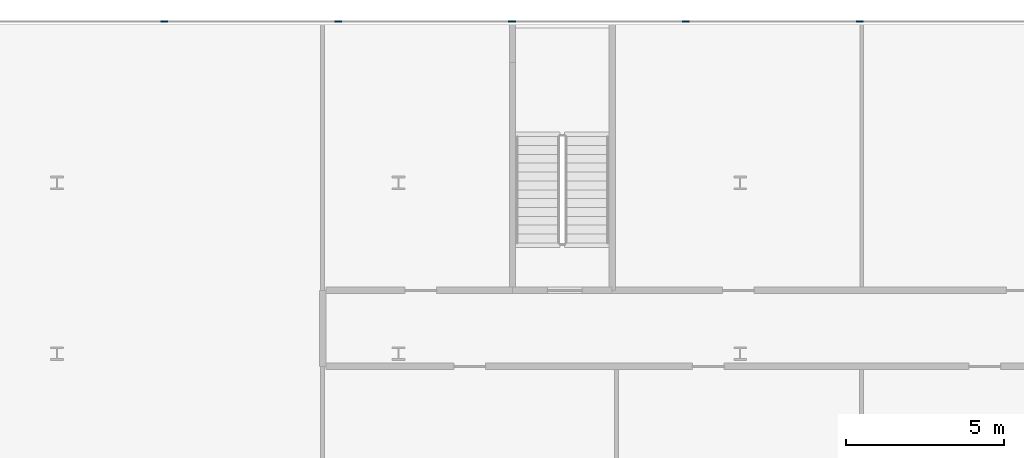
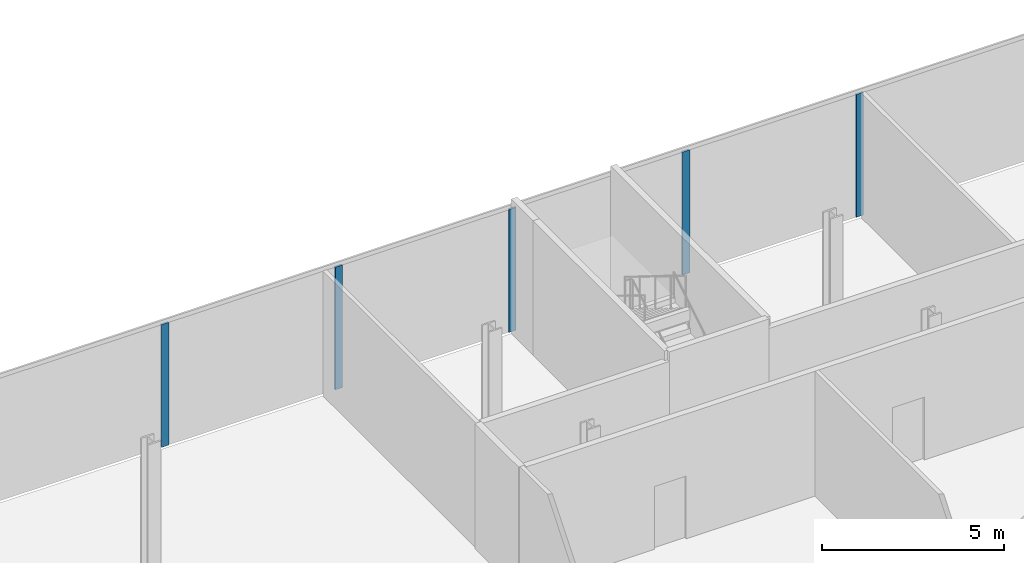
# One storey, part 18 of 47: 5 members, 1 element without a shape of its own.
"""IFC4 building model written with IfcOpenShell, lengths in metres."""

import ifcopenshell
import ifcopenshell.guid

model = None  # the IFC model being written
_history = None  # IfcOwnerHistory: only IFC2X3 demands one
_inside = {}  # id of a spatial element -> (the spatial element, [elements in it])
_under = {}  # id of a project, library or spatial element -> (it, [spatial elements below it])
_declared = {}  # id of a project -> (the project, [libraries it declares])
_typed = {}  # id of a type object -> (the type object, [elements of that type])
_made_of = {}  # id of a material, layer set ... -> (it, [elements and type objects made of it])


def new_model(schema):
    """Start an empty IFC model of exactly this schema.

    Asked for "IFC4X3", IfcOpenShell would pick the latest addendum, in which some entities
    have other attributes; the version numbers below select the first issue.
    IFC2X3 requires an IfcOwnerHistory on every rooted entity: one is made here for all.
    """
    global model, _history
    if schema == "IFC4X3":
        model = ifcopenshell.file(schema_version=(4, 3, 0, 0))
    else:
        model = ifcopenshell.file(schema=schema)
    _inside.clear()
    _under.clear()
    _declared.clear()
    _typed.clear()
    _made_of.clear()
    _history = None
    if model.schema == "IFC2X3":
        org = make("IfcOrganization", Name="unknown")
        user = make(
            "IfcPersonAndOrganization",
            ThePerson=make("IfcPerson", FamilyName="unknown"),
            TheOrganization=org,
        )
        app = make(
            "IfcApplication",
            ApplicationDeveloper=org,
            Version="unknown",
            ApplicationFullName="unknown",
            ApplicationIdentifier="unknown",
        )
        _history = make(
            "IfcOwnerHistory",
            OwningUser=user,
            OwningApplication=app,
            ChangeAction="ADDED",
            CreationDate=0,
        )
    return model


def make(cls, **values):
    """One entity of the class cls with the attributes given. An attribute that is None is left unset."""
    return model.create_entity(
        cls, **{name: value for name, value in values.items() if value is not None}
    )


def rooted(cls, **values):
    """An entity with a GlobalId (a new one), such as an element, a storey or a relation."""
    return make(cls, GlobalId=ifcopenshell.guid.new(), OwnerHistory=_history, **values)


def si_unit(unit_type, name, prefix=None):
    """IfcSIUnit, for example si_unit("LENGTHUNIT", "METRE", prefix="MILLI")."""
    return make("IfcSIUnit", UnitType=unit_type, Prefix=prefix, Name=name)


def assignment(units):
    """IfcUnitAssignment: the units of a project."""
    return None if units is None else make("IfcUnitAssignment", Units=units)


def point(xyz):
    """IfcCartesianPoint."""
    return None if xyz is None else make("IfcCartesianPoint", Coordinates=xyz)


def direction(xyz):
    """IfcDirection."""
    return None if xyz is None else make("IfcDirection", DirectionRatios=xyz)


def frame(location, z_axis=None, x_axis=None):
    """IfcAxis2Placement3D, a coordinate frame: its origin and axes. An axis left out is left unset."""
    return make(
        "IfcAxis2Placement3D",
        Location=point(location),
        Axis=direction(z_axis),
        RefDirection=direction(x_axis),
    )


def frame_2d(location, x_axis=None):
    """IfcAxis2Placement2D, a coordinate frame in the plane: its origin and x axis."""
    return make(
        "IfcAxis2Placement2D", Location=point(location), RefDirection=direction(x_axis)
    )


def origin():
    """The frame at (0, 0, 0) with its axes left unset."""
    return frame((0.0, 0.0, 0.0))


def origin_2d():
    """The frame at (0, 0) in the plane with its x axis left unset."""
    return frame_2d((0.0, 0.0))


def place(relative_to, where):
    """IfcLocalPlacement: puts the frame where relative to a parent placement (None: the world)."""
    return make(
        "IfcLocalPlacement", PlacementRelTo=relative_to, RelativePlacement=where
    )


def context(
    kind, dimensions, precision=None, world=None, true_north=None, identifier=None
):
    """IfcGeometricRepresentationContext, for example the 3D "Model" context."""
    return make(
        "IfcGeometricRepresentationContext",
        ContextIdentifier=identifier,
        ContextType=kind,
        CoordinateSpaceDimension=dimensions,
        Precision=precision,
        WorldCoordinateSystem=world,
        TrueNorth=true_north,
    )


def subcontext(parent, identifier, kind, view, scale=None):
    """IfcGeometricRepresentationSubContext, for example "Body" below "Model"."""
    return make(
        "IfcGeometricRepresentationSubContext",
        ContextIdentifier=identifier,
        ContextType=kind,
        ParentContext=parent,
        TargetScale=scale,
        TargetView=view,
    )


def project(units=None, contexts=None):
    """IfcProject with its units and contexts."""
    return rooted(
        "IfcProject",
        Name="project",
        RepresentationContexts=contexts,
        UnitsInContext=assignment(units),
    )


def spatial(cls, under=None, at=None, **own):
    """A site, building, storey or space (cls), placed at a placement, below another one or the project."""
    s = rooted(cls, ObjectPlacement=at, **own)
    if under is not None:
        _under.setdefault(under.id(), (under, []))[1].append(s)
    return s


def profile(cls, at=None, kind="AREA", **sizes):
    """A parametric profile (cls). Its sizes go by their IFC names, for example OverallWidth=200.0."""
    return make(cls, ProfileType=kind, Position=at, **sizes)


def rectangle(**sizes):
    """IfcRectangleProfileDef."""
    return profile("IfcRectangleProfileDef", **sizes)


def extrude(swept, where, along, depth):
    """IfcExtrudedAreaSolid: the profile swept, set in the frame where, extruded along a direction by depth."""
    return make(
        "IfcExtrudedAreaSolid",
        SweptArea=swept,
        Position=where,
        ExtrudedDirection=direction(along),
        Depth=depth,
    )


def shape(context_of_items, identifier, shape_type, items):
    """IfcShapeRepresentation: the items that make up one representation, for example the "Body"."""
    return make(
        "IfcShapeRepresentation",
        ContextOfItems=context_of_items,
        RepresentationIdentifier=identifier,
        RepresentationType=shape_type,
        Items=items,
    )


def material(Name=None, Category=None):
    """IfcMaterial."""
    return make("IfcMaterial", Name=Name, Category=Category)


def layer(
    of_material, thickness, ventilated=None, Name=None, Category=None, Priority=None
):
    """IfcMaterialLayer: one layer of a wall or slab, of a material (None: an air gap)."""
    return make(
        "IfcMaterialLayer",
        Material=of_material,
        LayerThickness=thickness,
        IsVentilated=ventilated,
        Name=Name,
        Category=Category,
        Priority=Priority,
    )


def layer_set(layers, Name=None):
    """IfcMaterialLayerSet."""
    return make("IfcMaterialLayerSet", MaterialLayers=layers, LayerSetName=Name)


def material_profile(
    of_material, cross_section, Name=None, Category=None, Priority=None
):
    """IfcMaterialProfile: a cross section and its material."""
    return make(
        "IfcMaterialProfile",
        Name=Name,
        Material=of_material,
        Profile=cross_section,
        Priority=Priority,
        Category=Category,
    )


def profile_set(profiles, Name=None, composite=None):
    """IfcMaterialProfileSet."""
    return make(
        "IfcMaterialProfileSet",
        Name=Name,
        MaterialProfiles=profiles,
        CompositeProfile=composite,
    )


def made_of(thing, what):
    """Note that an element or type object is made of a material, layer set ...; save() writes the relation."""
    if what is not None:
        _made_of.setdefault(what.id(), (what, []))[1].append(thing)
    return thing


def type_object(cls, material=None, **own):
    """A type object (cls), such as IfcWallType, which elements share."""
    return made_of(rooted(cls, **own), material)


def element(
    cls,
    number,
    at=None,
    inside=None,
    cuts=None,
    type_object=None,
    material=None,
    context=None,
    identifier="Body",
    shape_type=None,
    held_by="IfcProductDefinitionShape",
    body=None,
    shapes=None,
    **own,
):
    """One element of the class cls, such as IfcWall. Its Tag is "e" and its number.

    at: its placement. inside: the storey or other place that contains it. cuts: it is an
    opening in that element (IfcRelVoidsElement). A single representation is given by context,
    identifier, shape_type and body (its items); several are given by shapes. held_by: the class
    of the entity that holds the representations. save() writes the other relations.
    """
    e = rooted(cls, Tag="e%d" % number, ObjectPlacement=at, **own)
    if body is not None:
        shapes = [shape(context, identifier, shape_type, body)]
    if shapes is not None:
        e.Representation = make(held_by, Representations=shapes)
    if inside is not None:
        _inside.setdefault(inside.id(), (inside, []))[1].append(e)
    if cuts is not None:
        rooted(
            "IfcRelVoidsElement", RelatingBuildingElement=cuts, RelatedOpeningElement=e
        )
    if type_object is not None:
        _typed.setdefault(type_object.id(), (type_object, []))[1].append(e)
    return made_of(e, material)


def aggregate(whole, parts):
    """IfcRelAggregates: a whole, such as a stair, and the parts it consists of."""
    return rooted("IfcRelAggregates", RelatingObject=whole, RelatedObjects=parts)


def save(model, path):
    """Write the relations noted so far, then the file.

    IfcRelAggregates (storeys below a building ...), IfcRelContainedInSpatialStructure (elements
    in a storey), IfcRelDefinesByType, IfcRelAssociatesMaterial and IfcRelDeclares: one each for
    every whole, place, type object, material and project.
    """
    for whole, parts in _under.values():
        aggregate(whole, parts)
    for where, things in _inside.values():
        rooted(
            "IfcRelContainedInSpatialStructure",
            RelatedElements=things,
            RelatingStructure=where,
        )
    for kind, things in _typed.values():
        rooted("IfcRelDefinesByType", RelatedObjects=things, RelatingType=kind)
    for what, things in _made_of.values():
        rooted("IfcRelAssociatesMaterial", RelatedObjects=things, RelatingMaterial=what)
    for by, libraries in _declared.values():
        rooted("IfcRelDeclares", RelatingContext=by, RelatedDefinitions=libraries)
    model.write(path)


model = new_model("IFC4")

# Units and contexts
model_context = context("Model", 3, precision=1e-05, world=origin(), true_north=direction((0.0, 1.0)))
body_context = subcontext(model_context, "Body", "Model", "MODEL_VIEW")
ifc_project = project(units=[si_unit("LENGTHUNIT", "METRE"), si_unit("AREAUNIT", "SQUARE_METRE"), si_unit("VOLUMEUNIT", "CUBIC_METRE"), si_unit("PLANEANGLEUNIT", "RADIAN"), si_unit("MASSUNIT", "GRAM", prefix="KILO")], contexts=[model_context])

# Site, building, storey
site_placement = place(None, origin())
site = spatial("IfcSite", under=ifc_project, at=site_placement, CompositionType="ELEMENT")
building_placement = place(site_placement, origin())
building = spatial("IfcBuilding", under=site, at=building_placement, Name="Kheshtan School and Residences Tower", CompositionType="ELEMENT")
storey_placement = place(building_placement, frame((0.0, 0.0, 17.0)))
storey = spatial("IfcBuildingStorey", under=building, at=storey_placement, Name="L03", CompositionType="ELEMENT", Elevation=17.0)

# Curtain wall, members
ifc_material_1 = material(Name="Clear low-e glass in thermally broken aluminium frame", Category="aluminium")
ifc_layer = layer(ifc_material_1, 0.22509765625)
ifc_layer_set = layer_set([ifc_layer], Name="Curtain wall CW-P")
curtain_wall_type = type_object("IfcCurtainWallType", Name="Curtain wall CW-P", PredefinedType="NOTDEFINED", material=ifc_layer_set)
curtain_wall_placement = place(storey_placement, origin())
curtain_wall = element("IfcCurtainWall", 1, at=curtain_wall_placement, inside=storey, type_object=curtain_wall_type, Name="Curtain wall CWP4a", PredefinedType="NOTDEFINED")
ifc_material_2 = material(Name="Thermally broken aluminium, dark bronze anodised", Category="aluminium")
ifc_material_profile = material_profile(ifc_material_2, rectangle(XDim=0.06005859375, YDim=0.22509765625, at=origin_2d()), Name="CW-P mullion 60x225")
ifc_profile_set = profile_set([ifc_material_profile], Name="Thermally broken aluminium, dark bronze anodised")
member_type = type_object("IfcMemberType", Name="CW-P mullion 60x225", PredefinedType="MULLION", material=ifc_profile_set)
member_1_placement = place(storey_placement, frame((50.989013671875, 110.10009765625, 0.0), z_axis=(0.0, 0.0, 1.0), x_axis=(0.0, 1.0, 0.0)))
member_1 = element("IfcMember", 2, at=member_1_placement, type_object=member_type, Name="CWP4a mullion 7", PredefinedType="MULLION", context=body_context, shape_type="SweptSolid", body=[
    extrude(rectangle(XDim=0.06005859375, YDim=0.22509765625, at=origin_2d()), origin(), (0.0, 0.0, 1.0), 4.110107421875),
])
member_2_placement = place(storey_placement, frame((56.4873046875, 110.10009765625, 0.0), z_axis=(0.0, 0.0, 1.0), x_axis=(0.0, 1.0, 0.0)))
member_2 = element("IfcMember", 3, at=member_2_placement, type_object=member_type, Name="CWP4a mullion 8", PredefinedType="MULLION", context=body_context, shape_type="SweptSolid", body=[
    extrude(rectangle(XDim=0.06005859375, YDim=0.22509765625, at=origin_2d()), origin(), (0.0, 0.0, 1.0), 4.110107421875),
])
member_3_placement = place(storey_placement, frame((61.9853515625, 110.10009765625, 0.0), z_axis=(0.0, 0.0, 1.0), x_axis=(0.0, 1.0, 0.0)))
member_3 = element("IfcMember", 4, at=member_3_placement, type_object=member_type, Name="CWP4a mullion 9", PredefinedType="MULLION", context=body_context, shape_type="SweptSolid", body=[
    extrude(rectangle(XDim=0.06005859375, YDim=0.22509765625, at=origin_2d()), origin(), (0.0, 0.0, 1.0), 4.110107421875),
])
member_4_placement = place(storey_placement, frame((67.483642578125, 110.10009765625, 0.0), z_axis=(0.0, 0.0, 1.0), x_axis=(0.0, 1.0, 0.0)))
member_4 = element("IfcMember", 5, at=member_4_placement, type_object=member_type, Name="CWP4a mullion 10", PredefinedType="MULLION", context=body_context, shape_type="SweptSolid", body=[
    extrude(rectangle(XDim=0.06005859375, YDim=0.22509765625, at=origin_2d()), origin(), (0.0, 0.0, 1.0), 4.110107421875),
])
member_5_placement = place(storey_placement, frame((72.98193359375, 110.10009765625, 0.0), z_axis=(0.0, 0.0, 1.0), x_axis=(0.0, 1.0, 0.0)))
member_5 = element("IfcMember", 6, at=member_5_placement, type_object=member_type, Name="CWP4a mullion 11", PredefinedType="MULLION", context=body_context, shape_type="SweptSolid", body=[
    extrude(rectangle(XDim=0.06005859375, YDim=0.22509765625, at=origin_2d()), origin(), (0.0, 0.0, 1.0), 4.110107421875),
])
aggregate(curtain_wall, [member_1, member_2, member_3, member_4, member_5])

save(model, "model.ifc")
